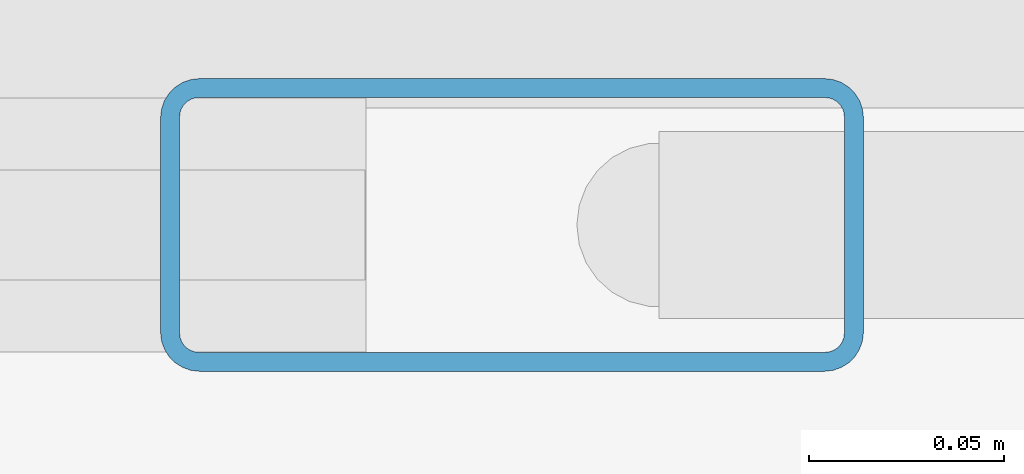
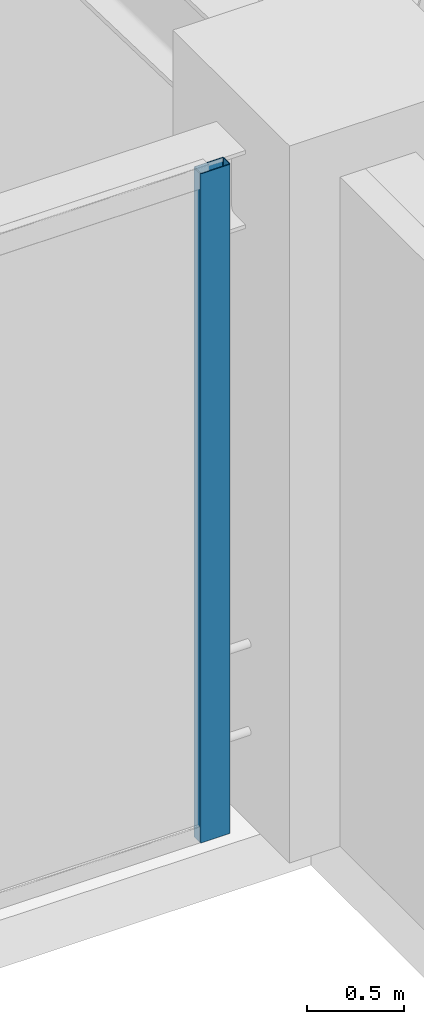
# One storey, part 17 of 38: 1 member, 1 element without a shape of its own.
"""IFC4 building model written with IfcOpenShell, lengths in metres."""

from ifc_helpers import new_model, si_unit, direction, frame, origin, origin_2d, place, context, subcontext, project, spatial, hollow_rectangle, extrude, material, layer, layer_set, material_profile, profile_set, type_object, element, aggregate, save


model = new_model("IFC4")

# Units and contexts
model_context = context("Model", 3, precision=1e-05, world=origin(), true_north=direction((0.0, 1.0)))
body_context = subcontext(model_context, "Body", "Model", "MODEL_VIEW")
ifc_project = project(units=[si_unit("LENGTHUNIT", "METRE"), si_unit("AREAUNIT", "SQUARE_METRE"), si_unit("VOLUMEUNIT", "CUBIC_METRE"), si_unit("PLANEANGLEUNIT", "RADIAN"), si_unit("MASSUNIT", "GRAM", prefix="KILO")], contexts=[model_context])

# Site, building, storey
site_placement = place(None, origin())
site = spatial("IfcSite", under=ifc_project, at=site_placement, CompositionType="ELEMENT")
building_placement = place(site_placement, origin())
building = spatial("IfcBuilding", under=site, at=building_placement, Name="Tarnavaz Court Tower", CompositionType="ELEMENT")
storey_placement = place(building_placement, frame((0.0, 0.0, 123.0)))
storey = spatial("IfcBuildingStorey", under=building, at=storey_placement, Name="L33", CompositionType="ELEMENT", Elevation=123.0)

# Curtain wall, member
ifc_material_1 = material(Name="Anodised Aluminium 6063-T6 and Solar Low-E Glazing", Category="aluminium")
ifc_layer = layer(ifc_material_1, 0.139892578125)
ifc_layer_set = layer_set([ifc_layer], Name="Anodised Aluminium 6063-T6 and Solar Low-E Glazing")
curtain_wall_type = type_object("IfcCurtainWallType", Name="CW-SYS-04", PredefinedType="NOTDEFINED", material=ifc_layer_set)
curtain_wall_placement = place(storey_placement, origin())
curtain_wall = element("IfcCurtainWall", 1, at=curtain_wall_placement, inside=storey, type_object=curtain_wall_type, Name="L33 Badgir Courtyard Curtain Wall N", PredefinedType="NOTDEFINED")
ifc_material_2 = material(Name="Anodised Aluminium 6063-T6", Category="aluminium")
ifc_material_profile = material_profile(ifc_material_2, hollow_rectangle(XDim=0.074951171875, YDim=0.179931640625, WallThickness=0.0048828125, InnerFilletRadius=0.0048828125, OuterFilletRadius=0.010009765625, at=origin_2d()), Name="ALU RHS 180X75X5")
ifc_profile_set = profile_set([ifc_material_profile], Name="Anodised Aluminium 6063-T6")
member_type = type_object("IfcMemberType", Name="CW-MUL-180", PredefinedType="MULLION", material=ifc_profile_set)
member_placement = place(storey_placement, frame((6.982421875, 7.6201171875, 0.0), z_axis=(0.0, 0.0, 1.0), x_axis=(0.0, -1.0, 0.0)))
member = element("IfcMember", 2, at=member_placement, type_object=member_type, Name="CW mullion 1", PredefinedType="MULLION", context=body_context, shape_type="SweptSolid", body=[
    extrude(hollow_rectangle(XDim=0.074951171875, YDim=0.179931640625, WallThickness=0.0048828125, InnerFilletRadius=0.0048828125, OuterFilletRadius=0.010009765625, at=origin_2d()), origin(), (0.0, 0.0, 1.0), 4.199951171875),
])
aggregate(curtain_wall, [member])

save(model, "model.ifc")
